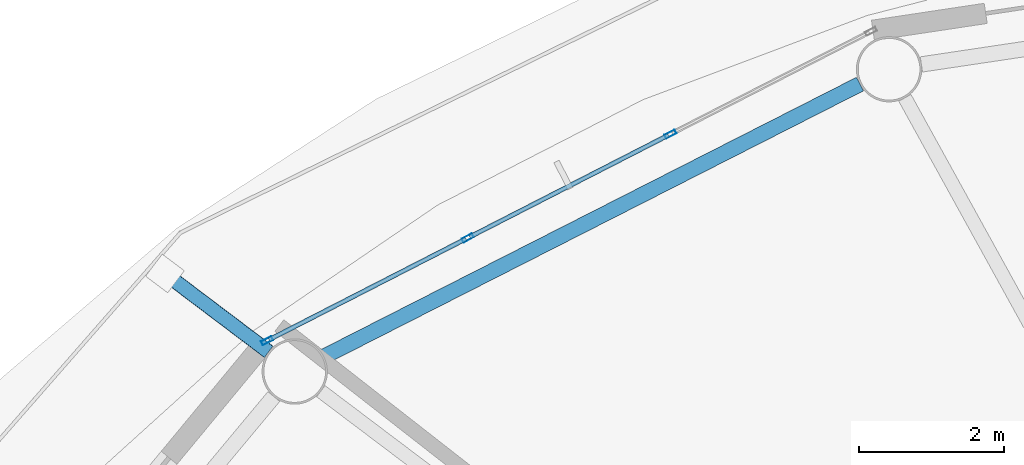
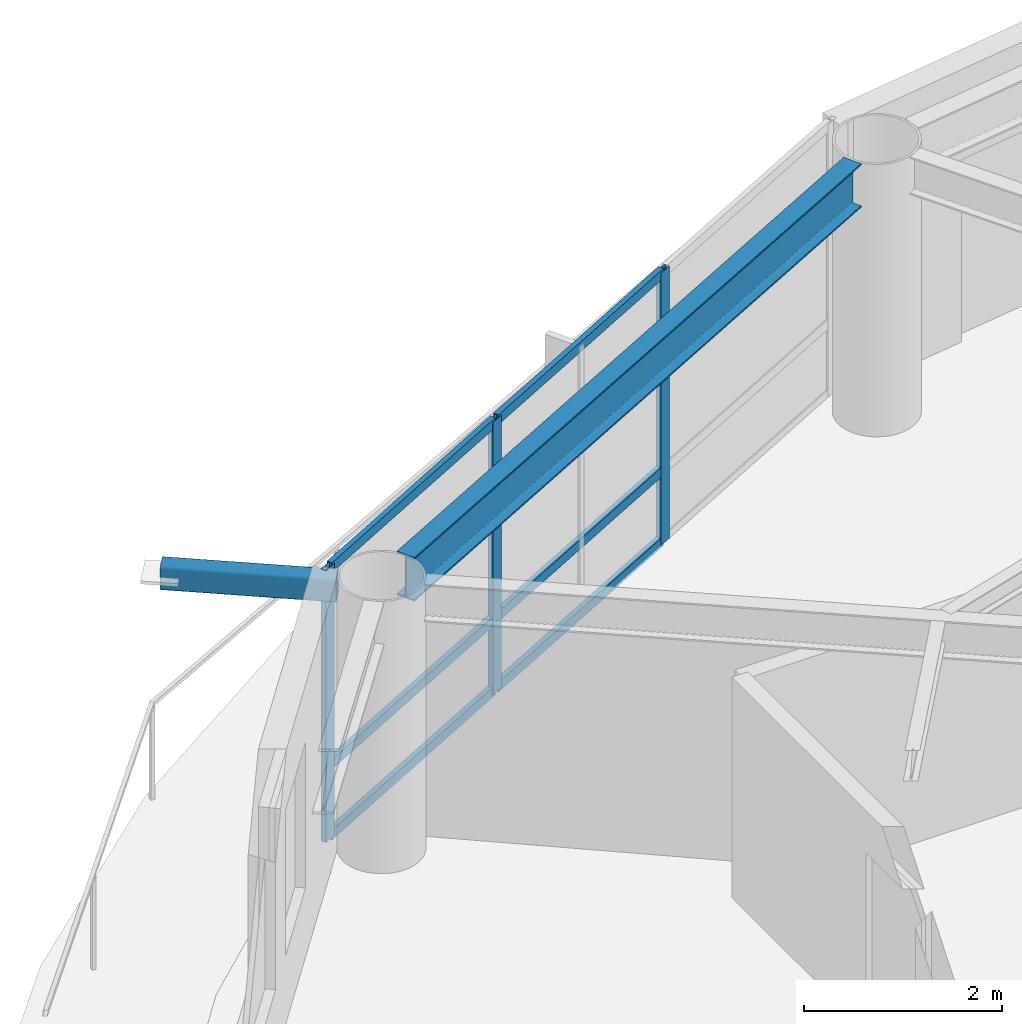
# One storey, part 8 of 23: 10 members, 1 beam, 1 element without a shape of its own.
"""IFC4 building model written with IfcOpenShell, lengths in metres."""

from ifc_helpers import new_model, si_unit, direction, frame, origin, origin_2d, place, context, subcontext, project, spatial, hollow_rectangle, i_section, extrude, material, layer, layer_set, material_profile, profile_set, type_object, element, aggregate, save


model = new_model("IFC4")

# Units and contexts
model_context = context("Model", 3, precision=1e-05, world=origin(), true_north=direction((0.0, 1.0)))
body_context = subcontext(model_context, "Body", "Model", "MODEL_VIEW")
ifc_project = project(units=[si_unit("LENGTHUNIT", "METRE"), si_unit("AREAUNIT", "SQUARE_METRE"), si_unit("VOLUMEUNIT", "CUBIC_METRE"), si_unit("PLANEANGLEUNIT", "RADIAN"), si_unit("MASSUNIT", "GRAM", prefix="KILO")], contexts=[model_context])

# Site, building, storey
site_placement = place(None, origin())
site = spatial("IfcSite", under=ifc_project, at=site_placement, CompositionType="ELEMENT")
building_placement = place(site_placement, origin())
building = spatial("IfcBuilding", under=site, at=building_placement, Name="Sarneth Arch Tower", CompositionType="ELEMENT")
storey_placement = place(building_placement, frame((0.0, 0.0, 217.199951171875)))
storey = spatial("IfcBuildingStorey", under=building, at=storey_placement, Name="L55", CompositionType="ELEMENT", Elevation=217.199951171875)

# Beam
ifc_material_1 = material(Name="Steel S355", Category="steel")
ifc_material_profile_1 = material_profile(ifc_material_1, i_section(OverallWidth=0.2109375, OverallDepth=0.5390625, WebThickness=0.01171875, FlangeThickness=0.018798828125, FilletRadius=0.01806640625, at=origin_2d()), Name="W530x109")
ifc_profile_set_1 = profile_set([ifc_material_profile_1], Name="Steel S355")
beam_type = type_object("IfcBeamType", Name="BM-RAD-530B", PredefinedType="BEAM", material=ifc_profile_set_1)
beam_placement = place(storey_placement, frame((37.80810546875, 59.534423828125, 3.090576171875), z_axis=(-0.891376248079, -0.453264144138, 0.0), x_axis=(0.453264144138, -0.891376248079, 0.0)))
element("IfcBeam", 1, at=beam_placement, inside=storey, type_object=beam_type, Name="L55 Perimeter spandrel beam 06", PredefinedType="BEAM", context=body_context, shape_type="SweptSolid", body=[
    extrude(i_section(OverallWidth=0.2109375, OverallDepth=0.5390625, WebThickness=0.01171875, FlangeThickness=0.018798828125, FilletRadius=0.01806640625, at=origin_2d()), origin(), (0.0, 0.0, 1.0), 8.281982421875),
])

# Curtain wall, members
ifc_material_2 = material(Name="Anodised aluminium Type AA25 and solar-control low-e laminated IGU", Category="aluminium")
ifc_layer = layer(ifc_material_2, 0.179931640625)
ifc_layer_set = layer_set([ifc_layer], Name="Anodised aluminium Type AA25 and solar-control low-e laminated IGU")
curtain_wall_type = type_object("IfcCurtainWallType", Name="CW-RES-HIGH", PredefinedType="NOTDEFINED", material=ifc_layer_set)
curtain_wall_placement = place(storey_placement, origin())
curtain_wall = element("IfcCurtainWall", 2, at=curtain_wall_placement, inside=storey, type_object=curtain_wall_type, Name="L55 Unitised curtain wall facet 06", PredefinedType="NOTDEFINED")
ifc_material_3 = material(Name="Anodised Aluminium 6063-T6", Category="aluminium")
ifc_material_profile_2 = material_profile(ifc_material_3, hollow_rectangle(XDim=0.06005859375, YDim=0.159912109375, WallThickness=0.00390625, at=origin_2d()), Name="AL-MULL-160x60x4")
ifc_profile_set_2 = profile_set([ifc_material_profile_2], Name="Anodised Aluminium 6063-T6")
member_type_1 = type_object("IfcMemberType", Name="CW-MULLION", PredefinedType="MULLION", material=ifc_profile_set_2)
member_1_placement = place(storey_placement, frame((35.197509765625, 58.844970703125, 0.0), z_axis=(0.0, 0.0, 1.0), x_axis=(0.455941901753, -0.890009540525, 0.0)))
member_1 = element("IfcMember", 3, at=member_1_placement, type_object=member_type_1, Name="CW-SYS-6 mullion 2", PredefinedType="MULLION", context=body_context, shape_type="SweptSolid", body=[
    extrude(hollow_rectangle(XDim=0.06005859375, YDim=0.159912109375, WallThickness=0.00390625, at=origin_2d()), origin(), (0.0, 0.0, 1.0), 3.360107421875),
])
member_2_placement = place(storey_placement, frame((32.407470703125, 57.415771484375, 0.0), z_axis=(0.0, 0.0, 1.0), x_axis=(0.455941901753, -0.890009540525, 0.0)))
member_2 = element("IfcMember", 4, at=member_2_placement, type_object=member_type_1, Name="CW-SYS-6 mullion 3", PredefinedType="MULLION", context=body_context, shape_type="SweptSolid", body=[
    extrude(hollow_rectangle(XDim=0.06005859375, YDim=0.159912109375, WallThickness=0.00390625, at=origin_2d()), origin(), (0.0, 0.0, 1.0), 3.360107421875),
])
member_3_placement = place(storey_placement, frame((29.644287109375, 56.000244140625, 0.0), z_axis=(0.0, 0.0, 1.0), x_axis=(0.455941901753, -0.890009540525, 0.0)))
member_3 = element("IfcMember", 5, at=member_3_placement, type_object=member_type_1, Name="CW-SYS-6 mullion 4", PredefinedType="MULLION", context=body_context, shape_type="SweptSolid", body=[
    extrude(hollow_rectangle(XDim=0.06005859375, YDim=0.159912109375, WallThickness=0.00390625, at=origin_2d()), origin(), (0.0, 0.0, 1.0), 3.360107421875),
])
ifc_material_4 = material(Name="Anodised Aluminium 6063-T6", Category="aluminium")
ifc_material_profile_3 = material_profile(ifc_material_4, hollow_rectangle(XDim=0.06005859375, YDim=0.1201171875, WallThickness=0.00390625, at=origin_2d()), Name="AL-TRAN-120x60x4")
ifc_profile_set_3 = profile_set([ifc_material_profile_3], Name="Anodised Aluminium 6063-T6")
member_type_2 = type_object("IfcMemberType", Name="CW-TRANSOM", PredefinedType="USERDEFINED", material=ifc_profile_set_3)
member_4_placement = place(storey_placement, frame((35.170654296875, 58.831298828125, 0.030029296875), z_axis=(-0.890017432405, -0.455926496286, 0.0), x_axis=(0.455926496286, -0.890017432405, 0.0)))
member_4 = element("IfcMember", 6, at=member_4_placement, type_object=member_type_2, Name="CW-SYS-6 transom 2.1", ObjectType="TRANSOM", PredefinedType="USERDEFINED", context=body_context, shape_type="SweptSolid", body=[
    extrude(hollow_rectangle(XDim=0.06005859375, YDim=0.1201171875, WallThickness=0.00390625, at=origin_2d()), origin(), (0.0, 0.0, 1.0), 3.07470703125),
])
member_5_placement = place(storey_placement, frame((35.170654296875, 58.831298828125, 0.900146484375), z_axis=(-0.890017432405, -0.455926496286, 0.0), x_axis=(0.455926496286, -0.890017432405, 0.0)))
member_5 = element("IfcMember", 7, at=member_5_placement, type_object=member_type_2, Name="CW-SYS-6 transom 2.2", ObjectType="TRANSOM", PredefinedType="USERDEFINED", context=body_context, shape_type="SweptSolid", body=[
    extrude(hollow_rectangle(XDim=0.06005859375, YDim=0.1201171875, WallThickness=0.00390625, at=origin_2d()), origin(), (0.0, 0.0, 1.0), 3.07470703125),
])
member_6_placement = place(storey_placement, frame((35.170654296875, 58.831298828125, 3.330078125), z_axis=(-0.890017432405, -0.455926496286, 0.0), x_axis=(0.455926496286, -0.890017432405, 0.0)))
member_6 = element("IfcMember", 8, at=member_6_placement, type_object=member_type_2, Name="CW-SYS-6 transom 2.3", ObjectType="TRANSOM", PredefinedType="USERDEFINED", context=body_context, shape_type="SweptSolid", body=[
    extrude(hollow_rectangle(XDim=0.06005859375, YDim=0.1201171875, WallThickness=0.00390625, at=origin_2d()), origin(), (0.0, 0.0, 1.0), 3.07470703125),
])
member_7_placement = place(storey_placement, frame((32.380859375, 57.402099609375, 0.030029296875), z_axis=(-0.890022732705, -0.455916149384, 0.0), x_axis=(0.455916149384, -0.890022732705, 0.0)))
member_7 = element("IfcMember", 9, at=member_7_placement, type_object=member_type_2, Name="CW-SYS-6 transom 3.1", ObjectType="TRANSOM", PredefinedType="USERDEFINED", context=body_context, shape_type="SweptSolid", body=[
    extrude(hollow_rectangle(XDim=0.06005859375, YDim=0.1201171875, WallThickness=0.00390625, at=origin_2d()), origin(), (0.0, 0.0, 1.0), 3.044921875),
])
member_8_placement = place(storey_placement, frame((32.380859375, 57.402099609375, 0.900146484375), z_axis=(-0.890022732705, -0.455916149384, 0.0), x_axis=(0.455916149384, -0.890022732705, 0.0)))
member_8 = element("IfcMember", 10, at=member_8_placement, type_object=member_type_2, Name="CW-SYS-6 transom 3.2", ObjectType="TRANSOM", PredefinedType="USERDEFINED", context=body_context, shape_type="SweptSolid", body=[
    extrude(hollow_rectangle(XDim=0.06005859375, YDim=0.1201171875, WallThickness=0.00390625, at=origin_2d()), origin(), (0.0, 0.0, 1.0), 3.044921875),
])
member_9_placement = place(storey_placement, frame((32.380859375, 57.402099609375, 3.330078125), z_axis=(-0.890022732705, -0.455916149384, 0.0), x_axis=(0.455916149384, -0.890022732705, 0.0)))
member_9 = element("IfcMember", 11, at=member_9_placement, type_object=member_type_2, Name="CW-SYS-6 transom 3.3", ObjectType="TRANSOM", PredefinedType="USERDEFINED", context=body_context, shape_type="SweptSolid", body=[
    extrude(hollow_rectangle(XDim=0.06005859375, YDim=0.1201171875, WallThickness=0.00390625, at=origin_2d()), origin(), (0.0, 0.0, 1.0), 3.044921875),
])
aggregate(curtain_wall, [member_1, member_2, member_3, member_4, member_5, member_6, member_7, member_8, member_9])

# Member
ifc_material_5 = material(Name="Steel S355", Category="steel")
ifc_material_profile_4 = material_profile(ifc_material_5, hollow_rectangle(XDim=0.199951171875, YDim=0.300048828125, WallThickness=0.012451171875, InnerFilletRadius=0.018798828125, OuterFilletRadius=0.03125, at=origin_2d()), Name="RHS300x200x12.5")
ifc_profile_set_4 = profile_set([ifc_material_profile_4], Name="Steel S355")
member_type_3 = type_object("IfcMemberType", Name="MEM-CANT-STRUT", PredefinedType="STRUT", material=ifc_profile_set_4)
member_10_placement = place(storey_placement, frame((29.665771484375, 55.84765625, 3.199951171875), z_axis=(-0.797982470407, 0.602680659157, 0.0), x_axis=(-0.602680659157, -0.797982470407, 0.0)))
element("IfcMember", 12, at=member_10_placement, inside=storey, type_object=member_type_3, Name="L55 Balcony cantilever bracket 07", PredefinedType="STRUT", context=body_context, shape_type="SweptSolid", body=[
    extrude(hollow_rectangle(XDim=0.199951171875, YDim=0.300048828125, WallThickness=0.012451171875, InnerFilletRadius=0.018798828125, OuterFilletRadius=0.03125, at=origin_2d()), origin(), (0.0, 0.0, 1.0), 1.7900390625),
])

save(model, "model.ifc")
